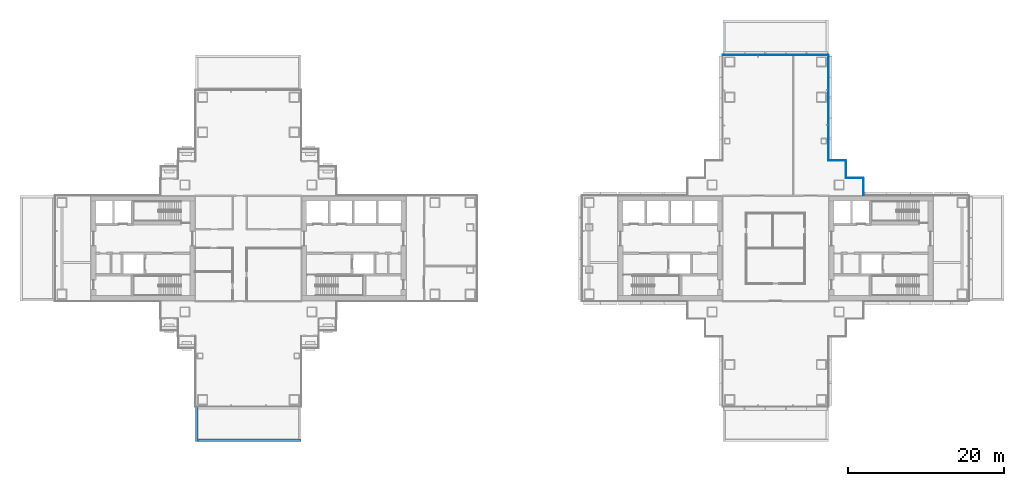
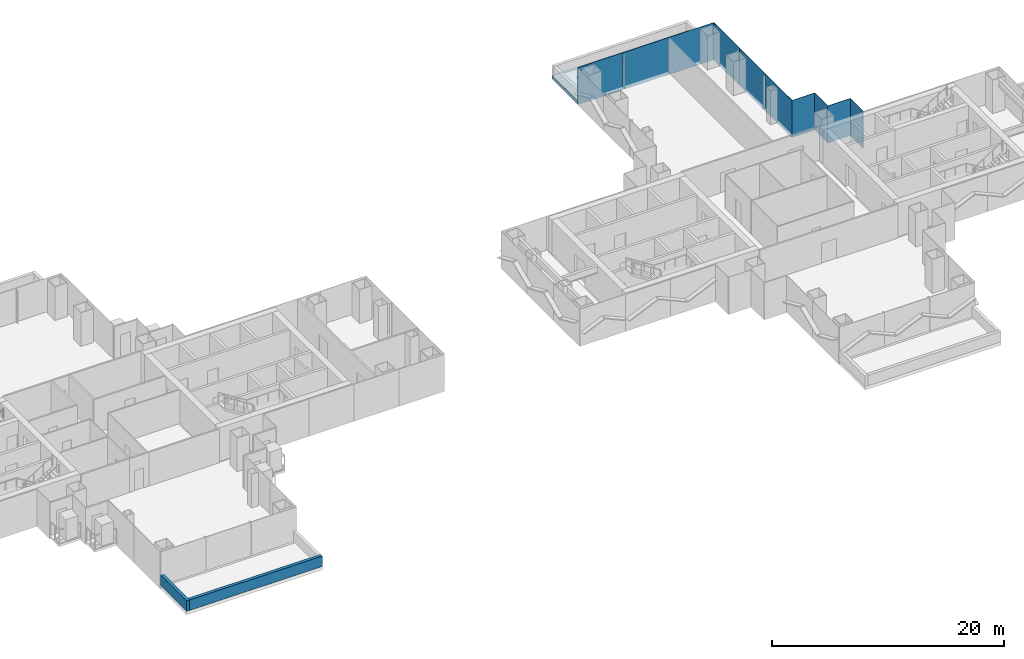
# One storey, part 10 of 20: 10 plates, 2 walls, 1 slab, 3 elements without a shape of their own.
"""IFC4 building model written with IfcOpenShell, lengths in metres."""

from ifc_helpers import new_model, si_unit, direction, frame, frame_2d, origin, origin_2d, place, context, subcontext, project, spatial, polyline, rectangle, outline, extrude, material, layer, layer_set, type_object, element, aggregate, save


model = new_model("IFC4")

# Units and contexts
model_context = context("Model", 3, precision=1e-05, world=origin(), true_north=direction((0.0, 1.0)))
body_context = subcontext(model_context, "Body", "Model", "MODEL_VIEW")
ifc_project = project(units=[si_unit("LENGTHUNIT", "METRE"), si_unit("AREAUNIT", "SQUARE_METRE"), si_unit("VOLUMEUNIT", "CUBIC_METRE"), si_unit("PLANEANGLEUNIT", "RADIAN"), si_unit("MASSUNIT", "GRAM", prefix="KILO")], contexts=[model_context])

# Site, building, storey
site_placement = place(None, origin())
site = spatial("IfcSite", under=ifc_project, at=site_placement, CompositionType="ELEMENT")
building_placement = place(site_placement, origin())
building = spatial("IfcBuilding", under=site, at=building_placement, Name="Shamsa Quay Exchange Towers", CompositionType="ELEMENT")
storey_placement = place(building_placement, frame((0.0, 0.0, 81.89990234375)))
storey = spatial("IfcBuildingStorey", under=building, at=storey_placement, Name="L18", CompositionType="ELEMENT", Elevation=81.89990234375)

# Curtain wall, plates
ifc_material_1 = material(Name="Aluminium EN AW-6063 T6, black anodised", Category="aluminium")
ifc_layer_1 = layer(ifc_material_1, 0.280029296875)
ifc_layer_set_1 = layer_set([ifc_layer_1], Name="CW-1 UNITISED VISION GLASS")
curtain_wall_type_1 = type_object("IfcCurtainWallType", Name="CW-1 UNITISED VISION GLASS", PredefinedType="NOTDEFINED", material=ifc_layer_set_1)
curtain_wall_1_placement = place(storey_placement, origin())
curtain_wall_1 = element("IfcCurtainWall", 1, at=curtain_wall_1_placement, inside=storey, type_object=curtain_wall_type_1, Name="CW1 T2-FLK-U+S L18", PredefinedType="NOTDEFINED")
ifc_material_2 = material(Name="Glass, laminated, dark tinted", Category="glass")
ifc_layer_2 = layer(ifc_material_2, 0.0400390625)
ifc_layer_set_2 = layer_set([ifc_layer_2], Name="CW-1 VISION GLASS 40")
plate_type_1 = type_object("IfcPlateType", Name="CW-1 VISION GLASS 40", PredefinedType="CURTAIN_PANEL", material=ifc_layer_set_2)
plate_1_placement = place(storey_placement, frame((40.52001953125, 13.529052734375, -0.349853515625), z_axis=(0.0, 0.0, 1.0), x_axis=(0.0, 1.0, 0.0)))
plate_1 = element("IfcPlate", 2, at=plate_1_placement, type_object=plate_type_1, Name="CW1 glass panel", PredefinedType="CURTAIN_PANEL", context=body_context, shape_type="SweptSolid", body=[
    extrude(rectangle(XDim=4.482421875, YDim=0.0400390625, at=origin_2d()), origin(), (0.0, 0.0, 1.0), 3.89990234375),
])
plate_2_placement = place(storey_placement, frame((40.52001953125, 18.01904296875, -0.349853515625), z_axis=(0.0, 0.0, 1.0), x_axis=(0.0, 1.0, 0.0)))
plate_2 = element("IfcPlate", 3, at=plate_2_placement, type_object=plate_type_1, Name="CW1 glass panel", PredefinedType="CURTAIN_PANEL", context=body_context, shape_type="SweptSolid", body=[
    extrude(rectangle(XDim=4.477294921875, YDim=0.0400390625, at=origin_2d()), origin(), (0.0, 0.0, 1.0), 3.89990234375),
])
plate_3_placement = place(storey_placement, frame((40.52001953125, 22.5087890625, -0.349853515625), z_axis=(0.0, 0.0, 1.0), x_axis=(0.0, 1.0, 0.0)))
plate_3 = element("IfcPlate", 4, at=plate_3_placement, type_object=plate_type_1, Name="CW1 glass panel", PredefinedType="CURTAIN_PANEL", context=body_context, shape_type="SweptSolid", body=[
    extrude(rectangle(XDim=4.482421875, YDim=0.0400390625, at=origin_2d()), origin(), (0.0, 0.0, 1.0), 3.89990234375),
])
aggregate(curtain_wall_1, [plate_1, plate_2, plate_3])

curtain_wall_2_placement = place(storey_placement, origin())
curtain_wall_2 = element("IfcCurtainWall", 5, at=curtain_wall_2_placement, inside=storey, type_object=curtain_wall_type_1, Name="CW1 T2-END-U+ L18", PredefinedType="NOTDEFINED")
plate_4_placement = place(storey_placement, frame((38.25244140625, 24.77001953125, -0.349853515625), z_axis=(0.0, 0.0, 1.0), x_axis=(-1.0, 0.0, 0.0)))
plate_4 = element("IfcPlate", 6, at=plate_4_placement, type_object=plate_type_1, Name="CW1 glass panel", PredefinedType="CURTAIN_PANEL", context=body_context, shape_type="SweptSolid", body=[
    extrude(rectangle(XDim=4.4951171875, YDim=0.0400390625, at=origin_2d()), origin(), (0.0, 0.0, 1.0), 3.89990234375),
])
plate_5_placement = place(storey_placement, frame((33.75, 24.77001953125, -0.349853515625), z_axis=(0.0, 0.0, 1.0), x_axis=(-1.0, 0.0, 0.0)))
plate_5 = element("IfcPlate", 7, at=plate_5_placement, type_object=plate_type_1, Name="CW1 glass panel", PredefinedType="CURTAIN_PANEL", context=body_context, shape_type="SweptSolid", body=[
    extrude(rectangle(XDim=4.489990234375, YDim=0.0400390625, at=origin_2d()), origin(), (0.0, 0.0, 1.0), 3.89990234375),
])
plate_6_placement = place(storey_placement, frame((29.24755859375, 24.77001953125, -0.349853515625), z_axis=(0.0, 0.0, 1.0), x_axis=(-1.0, 0.0, 0.0)))
plate_6 = element("IfcPlate", 8, at=plate_6_placement, type_object=plate_type_1, Name="CW1 glass panel", PredefinedType="CURTAIN_PANEL", context=body_context, shape_type="SweptSolid", body=[
    extrude(rectangle(XDim=4.4951171875, YDim=0.0400390625, at=origin_2d()), origin(), (0.0, 0.0, 1.0), 3.89990234375),
])
aggregate(curtain_wall_2, [plate_4, plate_5, plate_6])

ifc_layer_3 = layer(ifc_material_1, 0.256103515625)
ifc_layer_set_3 = layer_set([ifc_layer_3], Name="CW-4 POCKET SERRATED GLAZING")
curtain_wall_type_2 = type_object("IfcCurtainWallType", Name="CW-4 POCKET SERRATED GLAZING", PredefinedType="NOTDEFINED", material=ifc_layer_set_3)
curtain_wall_3_placement = place(storey_placement, origin())
curtain_wall_3 = element("IfcCurtainWall", 9, at=curtain_wall_3_placement, inside=storey, type_object=curtain_wall_type_2, Name="CW4 PKES L18", PredefinedType="NOTDEFINED")
ifc_layer_4 = layer(ifc_material_2, 0.035888671875)
ifc_layer_set_4 = layer_set([ifc_layer_4], Name="CW-4 POCKET GLASS 36")
plate_type_2 = type_object("IfcPlateType", Name="CW-4 POCKET GLASS 36", PredefinedType="CURTAIN_PANEL", material=ifc_layer_set_4)
plate_7_placement = place(storey_placement, frame((45.01806640625, 7.89794921875, -0.349853515625), z_axis=(0.0, 0.0, 1.0), x_axis=(0.0, 1.0, 0.0)))
plate_7 = element("IfcPlate", 10, at=plate_7_placement, type_object=plate_type_2, Name="CW4 glass panel", PredefinedType="CURTAIN_PANEL", context=body_context, shape_type="SweptSolid", body=[
    extrude(rectangle(XDim=2.2041015625, YDim=0.035888671875, at=origin_2d()), origin(), (0.0, 0.0, 1.0), 3.89990234375),
])
plate_8_placement = place(storey_placement, frame((43.875, 9.01806640625, -0.349853515625), z_axis=(0.0, 0.0, 1.0), x_axis=(-1.0, 0.0, 0.0)))
plate_8 = element("IfcPlate", 11, at=plate_8_placement, type_object=plate_type_2, Name="CW4 glass panel", PredefinedType="CURTAIN_PANEL", context=body_context, shape_type="SweptSolid", body=[
    extrude(rectangle(XDim=2.25, YDim=0.035888671875, at=origin_2d()), origin(), (0.0, 0.0, 1.0), 3.89990234375),
])
plate_9_placement = place(storey_placement, frame((42.76806640625, 10.14404296875, -0.349853515625), z_axis=(0.0, 0.0, 1.0), x_axis=(0.0, 1.0, 0.0)))
plate_9 = element("IfcPlate", 12, at=plate_9_placement, type_object=plate_type_2, Name="CW4 glass panel", PredefinedType="CURTAIN_PANEL", context=body_context, shape_type="SweptSolid", body=[
    extrude(rectangle(XDim=2.2119140625, YDim=0.035888671875, at=origin_2d()), origin(), (0.0, 0.0, 1.0), 3.89990234375),
])
plate_10_placement = place(storey_placement, frame((41.625, 11.26806640625, -0.349853515625), z_axis=(0.0, 0.0, 1.0), x_axis=(-1.0, 0.0, 0.0)))
plate_10 = element("IfcPlate", 13, at=plate_10_placement, type_object=plate_type_2, Name="CW4 glass panel", PredefinedType="CURTAIN_PANEL", context=body_context, shape_type="SweptSolid", body=[
    extrude(rectangle(XDim=2.25, YDim=0.035888671875, at=origin_2d()), origin(), (0.0, 0.0, 1.0), 3.89990234375),
])
aggregate(curtain_wall_3, [plate_7, plate_8, plate_9, plate_10])

# Slab
ifc_material_3 = material(Name="Concrete C40/50", Category="concrete")
ifc_layer_5 = layer(ifc_material_3, 0.35009765625)
ifc_layer_set_5 = layer_set([ifc_layer_5], Name="Terrace roof slab 350")
slab_type = type_object("IfcSlabType", Name="Terrace roof slab 350", PredefinedType="ROOF", material=ifc_layer_set_5)
slab_placement = place(storey_placement, frame((0.0, 0.0, -0.349853515625)))
element("IfcSlab", 14, at=slab_placement, inside=storey, type_object=slab_type, Name="Roof slab T2 over L17 5", PredefinedType="ROOF", context=body_context, shape_type="SweptSolid", body=[
    extrude(outline(polyline([(27.0, 29.25), (27.0, 24.75), (40.5, 24.75), (40.5, 29.25), (27.0, 29.25)])), origin(), (0.0, 0.0, 1.0), 0.349853515625),
])

# Walls
ifc_material_4 = material(Name="Reinforced concrete C30/37", Category="concrete")
ifc_layer_6 = layer(ifc_material_4, 0.300048828125)
ifc_layer_set_6 = layer_set([ifc_layer_6], Name="ROOF PARAPET 300 C30/37")
wall_type = type_object("IfcWallType", Name="ROOF PARAPET 300 C30/37", PredefinedType="PARAPET", material=ifc_layer_set_6)
wall_1_placement = place(storey_placement, frame((-40.35009765625, -20.25, 0.0), z_axis=(0.0, 0.0, 1.0), x_axis=(0.0, -1.0, 0.0)))
element("IfcWall", 15, at=wall_1_placement, inside=storey, type_object=wall_type, Name="Parapet L17 1", PredefinedType="PARAPET", context=body_context, shape_type="SweptSolid", body=[
    extrude(rectangle(XDim=4.5, YDim=0.300048828125, at=frame_2d((2.25, 0.0))), origin(), (0.0, 0.0, 1.0), 1.10009765625),
])
wall_2_placement = place(storey_placement, frame((-40.199951171875, -24.60009765625, 0.0)))
element("IfcWall", 16, at=wall_2_placement, inside=storey, type_object=wall_type, Name="Parapet L17 2", PredefinedType="PARAPET", context=body_context, shape_type="SweptSolid", body=[
    extrude(rectangle(XDim=13.199951171875, YDim=0.300048828125, at=frame_2d((6.60009765625, 0.0))), origin(), (0.0, 0.0, 1.0), 1.10009765625),
])

save(model, "model.ifc")
